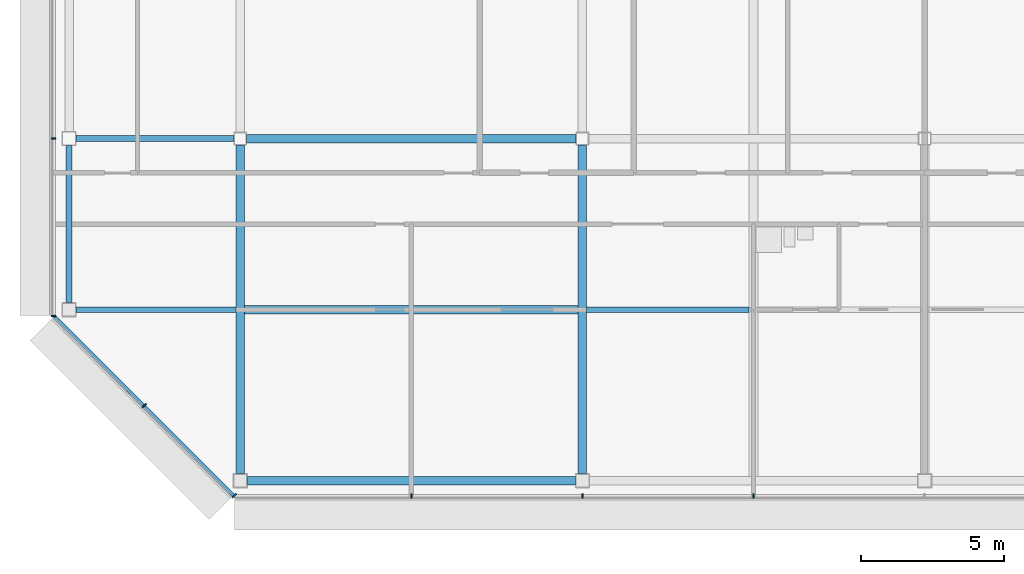
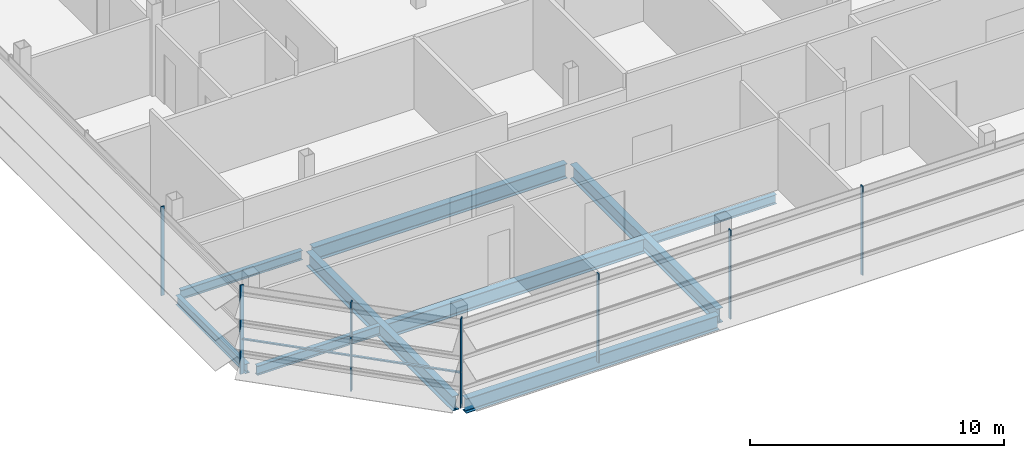
# One storey, part 4 of 29: 9 beams, 8 members, 3 elements without a shape of their own.
"""IFC4 building model written with IfcOpenShell, lengths in metres."""

from ifc_helpers import new_model, si_unit, direction, frame, origin, origin_2d, place, context, subcontext, project, spatial, rectangle, i_section, extrude, material, material_profile, profile_set, type_object, element, aggregate, save


model = new_model("IFC4")

# Units and contexts
model_context = context("Model", 3, precision=1e-05, world=origin(), true_north=direction((0.0, 1.0)))
body_context = subcontext(model_context, "Body", "Model", "MODEL_VIEW")
ifc_project = project(units=[si_unit("LENGTHUNIT", "METRE"), si_unit("AREAUNIT", "SQUARE_METRE"), si_unit("VOLUMEUNIT", "CUBIC_METRE"), si_unit("PLANEANGLEUNIT", "RADIAN"), si_unit("MASSUNIT", "GRAM", prefix="KILO")], contexts=[model_context])

# Site, building, storey
site_placement = place(None, origin())
site = spatial("IfcSite", under=ifc_project, at=site_placement, CompositionType="ELEMENT")
building_placement = place(site_placement, origin())
building = spatial("IfcBuilding", under=site, at=building_placement, Name="Sorahane Residences", CompositionType="ELEMENT")
storey_placement = place(building_placement, frame((0.0, 0.0, 326.800048828125)))
storey = spatial("IfcBuildingStorey", under=building, at=storey_placement, Name="L78", CompositionType="ELEMENT", Elevation=326.800048828125)

# Curtain wall, members
ifc_material_1 = material(Name="Dark low-e glass and black anodised aluminium", Category="aluminium")
curtain_wall_type_1 = type_object("IfcCurtainWallType", Name="Curtain wall CW-1 Typical unitised wall", PredefinedType="NOTDEFINED", material=ifc_material_1)
curtain_wall_1_placement = place(storey_placement, origin())
curtain_wall_1 = element("IfcCurtainWall", 1, at=curtain_wall_1_placement, inside=storey, type_object=curtain_wall_type_1, Name="CW-1 curtain wall L78 S1", PredefinedType="NOTDEFINED")
ifc_material_2 = material(Name="Black anodised aluminium", Category="aluminium")
ifc_material_profile_1 = material_profile(ifc_material_2, rectangle(XDim=0.159912109375, YDim=0.050048828125, at=origin_2d()), Name="Curtain wall mullion CW-1 black anodised aluminium 50x160")
ifc_profile_set_1 = profile_set([ifc_material_profile_1], Name="Black anodised aluminium")
member_type_1 = type_object("IfcMemberType", Name="Curtain wall mullion CW-1 black anodised aluminium 50x160", PredefinedType="MULLION", material=ifc_profile_set_1)
member_1_placement = place(storey_placement, frame((-6.0, -0.5400390625, -0.179931640625), z_axis=(0.0, 0.0, 1.0), x_axis=(0.0, -1.0, 0.0)))
member_1 = element("IfcMember", 2, at=member_1_placement, type_object=member_type_1, Name="CW-1 mullion L78 S1.2", PredefinedType="MULLION", context=body_context, shape_type="SweptSolid", body=[
    extrude(rectangle(XDim=0.159912109375, YDim=0.050048828125, at=origin_2d()), origin(), (0.0, 0.0, 1.0), 4.27978515625),
])
member_2_placement = place(storey_placement, frame((0.0, -0.5400390625, -0.179931640625), z_axis=(0.0, 0.0, 1.0), x_axis=(0.0, -1.0, 0.0)))
member_2 = element("IfcMember", 3, at=member_2_placement, type_object=member_type_1, Name="CW-1 mullion L78 S1.3", PredefinedType="MULLION", context=body_context, shape_type="SweptSolid", body=[
    extrude(rectangle(XDim=0.159912109375, YDim=0.050048828125, at=origin_2d()), origin(), (0.0, 0.0, 1.0), 4.27978515625),
])
member_3_placement = place(storey_placement, frame((6.0, -0.5400390625, -0.179931640625), z_axis=(0.0, 0.0, 1.0), x_axis=(0.0, -1.0, 0.0)))
member_3 = element("IfcMember", 4, at=member_3_placement, type_object=member_type_1, Name="CW-1 mullion L78 S1.4", PredefinedType="MULLION", context=body_context, shape_type="SweptSolid", body=[
    extrude(rectangle(XDim=0.159912109375, YDim=0.050048828125, at=origin_2d()), origin(), (0.0, 0.0, 1.0), 4.27978515625),
])
aggregate(curtain_wall_1, [member_1, member_2, member_3])

curtain_wall_2_placement = place(storey_placement, origin())
curtain_wall_2 = element("IfcCurtainWall", 5, at=curtain_wall_2_placement, inside=storey, type_object=curtain_wall_type_1, Name="CW-1 curtain wall L78 W1", PredefinedType="NOTDEFINED")
member_4_placement = place(storey_placement, frame((-18.5400390625, 12.0, -0.179931640625), z_axis=(0.0, 0.0, 1.0), x_axis=(-1.0, 0.0, 0.0)))
member_4 = element("IfcMember", 6, at=member_4_placement, type_object=member_type_1, Name="CW-1 mullion L78 W1.6", PredefinedType="MULLION", context=body_context, shape_type="SweptSolid", body=[
    extrude(rectangle(XDim=0.159912109375, YDim=0.050048828125, at=origin_2d()), origin(), (0.0, 0.0, 1.0), 4.27978515625),
])
member_5_placement = place(storey_placement, frame((-18.5400390625, 5.7763671875, -0.179931640625), z_axis=(0.0, 0.0, 1.0), x_axis=(-1.0, 0.0, 0.0)))
member_5 = element("IfcMember", 7, at=member_5_placement, type_object=member_type_1, Name="CW-1 mullion L78 W1.7", PredefinedType="MULLION", context=body_context, shape_type="SweptSolid", body=[
    extrude(rectangle(XDim=0.159912109375, YDim=0.050048828125, at=origin_2d()), origin(), (0.0, 0.0, 1.0), 4.27978515625),
])
aggregate(curtain_wall_2, [member_4, member_5])

ifc_material_3 = material(Name="Dark low-e glass and black anodised aluminium", Category="aluminium")
curtain_wall_type_2 = type_object("IfcCurtainWallType", Name="Curtain wall CW-2 Chamfer unitised wall", PredefinedType="NOTDEFINED", material=ifc_material_3)
curtain_wall_3_placement = place(storey_placement, origin())
curtain_wall_3 = element("IfcCurtainWall", 8, at=curtain_wall_3_placement, inside=storey, type_object=curtain_wall_type_2, Name="CW-2 curtain wall L78 SW1", PredefinedType="NOTDEFINED")
ifc_material_4 = material(Name="Black anodised aluminium", Category="aluminium")
ifc_material_profile_2 = material_profile(ifc_material_4, rectangle(XDim=0.199951171875, YDim=0.050048828125, at=origin_2d()), Name="Curtain wall mullion CW-2 black anodised aluminium 50x200")
ifc_profile_set_2 = profile_set([ifc_material_profile_2], Name="Black anodised aluminium")
member_type_2 = type_object("IfcMemberType", Name="Curtain wall mullion CW-2 black anodised aluminium 50x200", PredefinedType="MULLION", material=ifc_profile_set_2)
member_6_placement = place(storey_placement, frame((-15.36767578125, 2.63232421875, -0.179931640625), z_axis=(0.0, 0.0, 1.0), x_axis=(-0.707106781187, -0.707106781187, 0.0)))
member_6 = element("IfcMember", 9, at=member_6_placement, type_object=member_type_2, Name="CW-2 mullion L78 SW1.2", PredefinedType="MULLION", context=body_context, shape_type="SweptSolid", body=[
    extrude(rectangle(XDim=0.199951171875, YDim=0.050048828125, at=origin_2d()), origin(), (0.0, 0.0, 1.0), 4.27978515625),
])
member_7_placement = place(storey_placement, frame((-12.209716796875, -0.525634765625, -0.179931640625), z_axis=(0.0, 0.0, 1.0), x_axis=(-0.707106781187, -0.707106781187, 0.0)))
member_7 = element("IfcMember", 10, at=member_7_placement, type_object=member_type_2, Name="CW-2 mullion L78 SW1.3", PredefinedType="MULLION", context=body_context, shape_type="SweptSolid", body=[
    extrude(rectangle(XDim=0.199951171875, YDim=0.050048828125, at=origin_2d()), origin(), (0.0, 0.0, 1.0), 4.27978515625),
])
ifc_material_5 = material(Name="Black anodised aluminium", Category="aluminium")
ifc_material_profile_3 = material_profile(ifc_material_5, rectangle(XDim=0.10009765625, YDim=0.06005859375, at=origin_2d()), Name="Curtain wall transom CW-2 black anodised aluminium 60x100")
ifc_profile_set_3 = profile_set([ifc_material_profile_3], Name="Black anodised aluminium")
member_type_3 = type_object("IfcMemberType", Name="Curtain wall transom CW-2 black anodised aluminium 60x100", PredefinedType="USERDEFINED", material=ifc_profile_set_3)
member_8_placement = place(storey_placement, frame((-18.51513671875, 5.765625, 1.5), z_axis=(0.707106781187, -0.707106781187, 0.0), x_axis=(0.707106781187, 0.707106781187, 0.0)))
member_8 = element("IfcMember", 11, at=member_8_placement, type_object=member_type_3, Name="CW-2 transom L78 SW1", ObjectType="TRANSOM", PredefinedType="USERDEFINED", context=body_context, shape_type="SweptSolid", body=[
    extrude(rectangle(XDim=0.10009765625, YDim=0.06005859375, at=origin_2d()), origin(), (0.0, 0.0, 1.0), 8.88232421875),
])
aggregate(curtain_wall_3, [member_6, member_7, member_8])

# Beams
ifc_material_6 = material(Name="Steel Q355B", Category="steel")
ifc_material_profile_4 = material_profile(ifc_material_6, i_section(OverallWidth=0.199951171875, OverallDepth=0.449951171875, WebThickness=0.009033203125, FlangeThickness=0.013916015625, FilletRadius=0.02001953125, at=origin_2d()), Name="HN 450x200x9x14")
ifc_profile_set_4 = profile_set([ifc_material_profile_4], Name="Steel Q355B")
beam_type_1 = type_object("IfcBeamType", Name="Steel floor beam HN 450x200x9x14 Q355B", PredefinedType="BEAM", material=ifc_profile_set_4)
beam_1_placement = place(storey_placement, frame((-17.75, 12.0, -0.405029296875), z_axis=(1.0, 0.0, 0.0), x_axis=(0.0, 1.0, 0.0)))
element("IfcBeam", 12, at=beam_1_placement, inside=storey, type_object=beam_type_1, Name="Beam L78 005", PredefinedType="BEAM", context=body_context, shape_type="SweptSolid", body=[
    extrude(i_section(OverallWidth=0.199951171875, OverallDepth=0.449951171875, WebThickness=0.009033203125, FlangeThickness=0.013916015625, FilletRadius=0.02001953125, at=origin_2d()), origin(), (0.0, 0.0, 1.0), 5.52490234375),
])
beam_2_placement = place(storey_placement, frame((-18.0, 6.25, -0.405029296875), z_axis=(0.0, 1.0, 0.0), x_axis=(-1.0, 0.0, 0.0)))
element("IfcBeam", 13, at=beam_2_placement, inside=storey, type_object=beam_type_1, Name="Beam L78 020", PredefinedType="BEAM", context=body_context, shape_type="SweptSolid", body=[
    extrude(i_section(OverallWidth=0.199951171875, OverallDepth=0.449951171875, WebThickness=0.009033203125, FlangeThickness=0.013916015625, FilletRadius=0.02001953125, at=origin_2d()), origin(), (0.0, 0.0, 1.0), 5.5),
])
beam_3_placement = place(storey_placement, frame((-17.75, 6.0, -0.405029296875), z_axis=(1.0, 0.0, 0.0), x_axis=(0.0, 1.0, 0.0)))
element("IfcBeam", 14, at=beam_3_placement, inside=storey, type_object=beam_type_1, Name="Beam L78 066", PredefinedType="BEAM", context=body_context, shape_type="SweptSolid", body=[
    extrude(i_section(OverallWidth=0.199951171875, OverallDepth=0.449951171875, WebThickness=0.009033203125, FlangeThickness=0.013916015625, FilletRadius=0.02001953125, at=origin_2d()), origin(), (0.0, 0.0, 1.0), 5.60009765625),
])
beam_4_placement = place(storey_placement, frame((0.14990234375, 6.0, -0.405029296875), z_axis=(1.0, 0.0, 0.0), x_axis=(0.0, 1.0, 0.0)))
element("IfcBeam", 15, at=beam_4_placement, inside=storey, type_object=beam_type_1, Name="Beam L78 068", PredefinedType="BEAM", context=body_context, shape_type="SweptSolid", body=[
    extrude(i_section(OverallWidth=0.199951171875, OverallDepth=0.449951171875, WebThickness=0.009033203125, FlangeThickness=0.013916015625, FilletRadius=0.02001953125, at=origin_2d()), origin(), (0.0, 0.0, 1.0), 5.7001953125),
])
ifc_material_7 = material(Name="Steel Q355B", Category="steel")
ifc_material_profile_5 = material_profile(ifc_material_7, i_section(OverallWidth=0.300048828125, OverallDepth=0.699951171875, WebThickness=0.012939453125, FlangeThickness=0.02392578125, FilletRadius=0.028076171875, at=origin_2d()), Name="HN 700x300x13x24")
ifc_profile_set_5 = profile_set([ifc_material_profile_5], Name="Steel Q355B")
beam_type_2 = type_object("IfcBeamType", Name="Steel floor beam HN 700x300x13x24 Q355B", PredefinedType="BEAM", material=ifc_profile_set_5)
beam_5_placement = place(storey_placement, frame((-11.75, 0.0, -0.530029296875), z_axis=(1.0, 0.0, 0.0), x_axis=(0.0, 1.0, 0.0)))
element("IfcBeam", 16, at=beam_5_placement, inside=storey, type_object=beam_type_2, Name="Beam L78 000", PredefinedType="BEAM", context=body_context, shape_type="SweptSolid", body=[
    extrude(i_section(OverallWidth=0.300048828125, OverallDepth=0.699951171875, WebThickness=0.012939453125, FlangeThickness=0.02392578125, FilletRadius=0.028076171875, at=origin_2d()), origin(), (0.0, 0.0, 1.0), 11.5),
])
beam_6_placement = place(storey_placement, frame((-11.77490234375, 12.0, -0.530029296875), z_axis=(1.0, 0.0, 0.0), x_axis=(0.0, 1.0, 0.0)))
element("IfcBeam", 17, at=beam_6_placement, inside=storey, type_object=beam_type_2, Name="Beam L78 006", PredefinedType="BEAM", context=body_context, shape_type="SweptSolid", body=[
    extrude(i_section(OverallWidth=0.300048828125, OverallDepth=0.699951171875, WebThickness=0.012939453125, FlangeThickness=0.02392578125, FilletRadius=0.028076171875, at=origin_2d()), origin(), (0.0, 0.0, 1.0), 11.5498046875),
])
for number, where, z_axis, x_axis, name in (
    (18, (-12.0, 0.25, -0.530029296875), (0.0, 1.0, 0.0), (-1.0, 0.0, 0.0), "Beam L78 024"),
    (19, (0.0, 0.25, -0.530029296875), (0.0, 1.0, 0.0), (-1.0, 0.0, 0.0), "Beam L78 028"),
):
    element("IfcBeam", number, at=place(storey_placement, frame(where, z_axis=z_axis, x_axis=x_axis)), inside=storey, type_object=beam_type_2, Name=name, PredefinedType="BEAM", context=body_context, shape_type="SweptSolid", body=[
        extrude(i_section(OverallWidth=0.300048828125, OverallDepth=0.699951171875, WebThickness=0.012939453125, FlangeThickness=0.02392578125, FilletRadius=0.028076171875, at=origin_2d()), origin(), (0.0, 0.0, 1.0), 11.52490234375),
    ])
beam_7_placement = place(storey_placement, frame((-11.85009765625, 6.0, -0.530029296875), z_axis=(1.0, 0.0, 0.0), x_axis=(0.0, 1.0, 0.0)))
element("IfcBeam", 20, at=beam_7_placement, inside=storey, type_object=beam_type_2, Name="Beam L78 067", PredefinedType="BEAM", context=body_context, shape_type="SweptSolid", body=[
    extrude(i_section(OverallWidth=0.300048828125, OverallDepth=0.699951171875, WebThickness=0.012939453125, FlangeThickness=0.02392578125, FilletRadius=0.028076171875, at=origin_2d()), origin(), (0.0, 0.0, 1.0), 11.7001953125),
])

save(model, "model.ifc")
